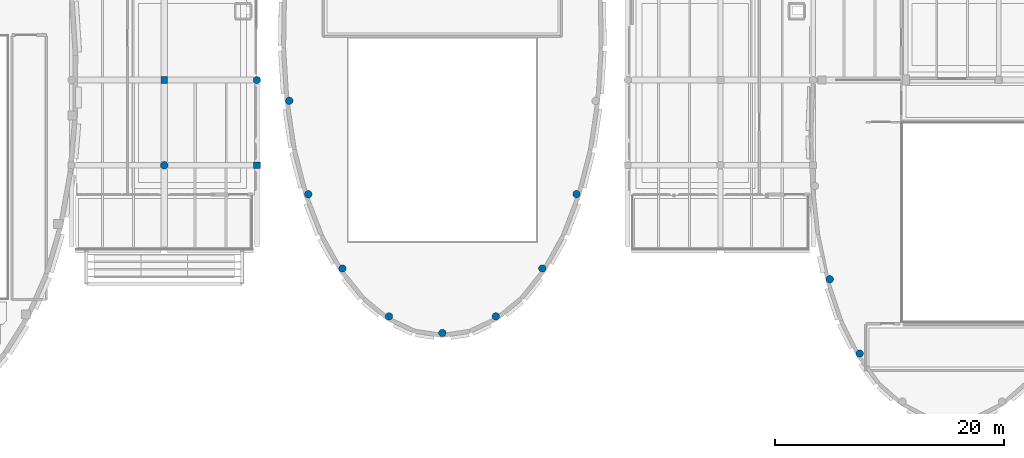
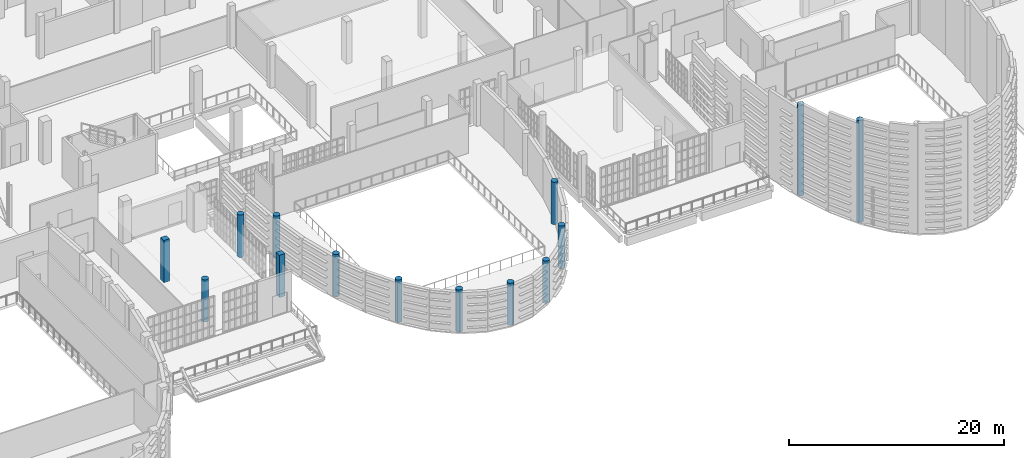
# One storey, part 4 of 104: 14 columns.
"""IFC4 building model written with IfcOpenShell, lengths in metres."""

import ifcopenshell
import ifcopenshell.guid

model = None  # the IFC model being written
_history = None  # IfcOwnerHistory: only IFC2X3 demands one
_inside = {}  # id of a spatial element -> (the spatial element, [elements in it])
_under = {}  # id of a project, library or spatial element -> (it, [spatial elements below it])
_declared = {}  # id of a project -> (the project, [libraries it declares])
_typed = {}  # id of a type object -> (the type object, [elements of that type])
_made_of = {}  # id of a material, layer set ... -> (it, [elements and type objects made of it])


def new_model(schema):
    """Start an empty IFC model of exactly this schema.

    Asked for "IFC4X3", IfcOpenShell would pick the latest addendum, in which some entities
    have other attributes; the version numbers below select the first issue.
    IFC2X3 requires an IfcOwnerHistory on every rooted entity: one is made here for all.
    """
    global model, _history
    if schema == "IFC4X3":
        model = ifcopenshell.file(schema_version=(4, 3, 0, 0))
    else:
        model = ifcopenshell.file(schema=schema)
    _inside.clear()
    _under.clear()
    _declared.clear()
    _typed.clear()
    _made_of.clear()
    _history = None
    if model.schema == "IFC2X3":
        org = make("IfcOrganization", Name="unknown")
        user = make(
            "IfcPersonAndOrganization",
            ThePerson=make("IfcPerson", FamilyName="unknown"),
            TheOrganization=org,
        )
        app = make(
            "IfcApplication",
            ApplicationDeveloper=org,
            Version="unknown",
            ApplicationFullName="unknown",
            ApplicationIdentifier="unknown",
        )
        _history = make(
            "IfcOwnerHistory",
            OwningUser=user,
            OwningApplication=app,
            ChangeAction="ADDED",
            CreationDate=0,
        )
    return model


def make(cls, **values):
    """One entity of the class cls with the attributes given. An attribute that is None is left unset."""
    return model.create_entity(
        cls, **{name: value for name, value in values.items() if value is not None}
    )


def rooted(cls, **values):
    """An entity with a GlobalId (a new one), such as an element, a storey or a relation."""
    return make(cls, GlobalId=ifcopenshell.guid.new(), OwnerHistory=_history, **values)


def si_unit(unit_type, name, prefix=None):
    """IfcSIUnit, for example si_unit("LENGTHUNIT", "METRE", prefix="MILLI")."""
    return make("IfcSIUnit", UnitType=unit_type, Prefix=prefix, Name=name)


def assignment(units):
    """IfcUnitAssignment: the units of a project."""
    return None if units is None else make("IfcUnitAssignment", Units=units)


def point(xyz):
    """IfcCartesianPoint."""
    return None if xyz is None else make("IfcCartesianPoint", Coordinates=xyz)


def direction(xyz):
    """IfcDirection."""
    return None if xyz is None else make("IfcDirection", DirectionRatios=xyz)


def frame(location, z_axis=None, x_axis=None):
    """IfcAxis2Placement3D, a coordinate frame: its origin and axes. An axis left out is left unset."""
    return make(
        "IfcAxis2Placement3D",
        Location=point(location),
        Axis=direction(z_axis),
        RefDirection=direction(x_axis),
    )


def frame_2d(location, x_axis=None):
    """IfcAxis2Placement2D, a coordinate frame in the plane: its origin and x axis."""
    return make(
        "IfcAxis2Placement2D", Location=point(location), RefDirection=direction(x_axis)
    )


def origin():
    """The frame at (0, 0, 0) with its axes left unset."""
    return frame((0.0, 0.0, 0.0))


def origin_2d():
    """The frame at (0, 0) in the plane with its x axis left unset."""
    return frame_2d((0.0, 0.0))


def place(relative_to, where):
    """IfcLocalPlacement: puts the frame where relative to a parent placement (None: the world)."""
    return make(
        "IfcLocalPlacement", PlacementRelTo=relative_to, RelativePlacement=where
    )


def context(
    kind, dimensions, precision=None, world=None, true_north=None, identifier=None
):
    """IfcGeometricRepresentationContext, for example the 3D "Model" context."""
    return make(
        "IfcGeometricRepresentationContext",
        ContextIdentifier=identifier,
        ContextType=kind,
        CoordinateSpaceDimension=dimensions,
        Precision=precision,
        WorldCoordinateSystem=world,
        TrueNorth=true_north,
    )


def subcontext(parent, identifier, kind, view, scale=None):
    """IfcGeometricRepresentationSubContext, for example "Body" below "Model"."""
    return make(
        "IfcGeometricRepresentationSubContext",
        ContextIdentifier=identifier,
        ContextType=kind,
        ParentContext=parent,
        TargetScale=scale,
        TargetView=view,
    )


def project(units=None, contexts=None):
    """IfcProject with its units and contexts."""
    return rooted(
        "IfcProject",
        Name="project",
        RepresentationContexts=contexts,
        UnitsInContext=assignment(units),
    )


def spatial(cls, under=None, at=None, **own):
    """A site, building, storey or space (cls), placed at a placement, below another one or the project."""
    s = rooted(cls, ObjectPlacement=at, **own)
    if under is not None:
        _under.setdefault(under.id(), (under, []))[1].append(s)
    return s


def profile(cls, at=None, kind="AREA", **sizes):
    """A parametric profile (cls). Its sizes go by their IFC names, for example OverallWidth=200.0."""
    return make(cls, ProfileType=kind, Position=at, **sizes)


def rectangle(**sizes):
    """IfcRectangleProfileDef."""
    return profile("IfcRectangleProfileDef", **sizes)


def circle(**sizes):
    """IfcCircleProfileDef."""
    return profile("IfcCircleProfileDef", **sizes)


def extrude(swept, where, along, depth):
    """IfcExtrudedAreaSolid: the profile swept, set in the frame where, extruded along a direction by depth."""
    return make(
        "IfcExtrudedAreaSolid",
        SweptArea=swept,
        Position=where,
        ExtrudedDirection=direction(along),
        Depth=depth,
    )


def shape(context_of_items, identifier, shape_type, items):
    """IfcShapeRepresentation: the items that make up one representation, for example the "Body"."""
    return make(
        "IfcShapeRepresentation",
        ContextOfItems=context_of_items,
        RepresentationIdentifier=identifier,
        RepresentationType=shape_type,
        Items=items,
    )


def material(Name=None, Category=None):
    """IfcMaterial."""
    return make("IfcMaterial", Name=Name, Category=Category)


def material_profile(
    of_material, cross_section, Name=None, Category=None, Priority=None
):
    """IfcMaterialProfile: a cross section and its material."""
    return make(
        "IfcMaterialProfile",
        Name=Name,
        Material=of_material,
        Profile=cross_section,
        Priority=Priority,
        Category=Category,
    )


def profile_set(profiles, Name=None, composite=None):
    """IfcMaterialProfileSet."""
    return make(
        "IfcMaterialProfileSet",
        Name=Name,
        MaterialProfiles=profiles,
        CompositeProfile=composite,
    )


def made_of(thing, what):
    """Note that an element or type object is made of a material, layer set ...; save() writes the relation."""
    if what is not None:
        _made_of.setdefault(what.id(), (what, []))[1].append(thing)
    return thing


def type_object(cls, material=None, **own):
    """A type object (cls), such as IfcWallType, which elements share."""
    return made_of(rooted(cls, **own), material)


def element(
    cls,
    number,
    at=None,
    inside=None,
    cuts=None,
    type_object=None,
    material=None,
    context=None,
    identifier="Body",
    shape_type=None,
    held_by="IfcProductDefinitionShape",
    body=None,
    shapes=None,
    **own,
):
    """One element of the class cls, such as IfcWall. Its Tag is "e" and its number.

    at: its placement. inside: the storey or other place that contains it. cuts: it is an
    opening in that element (IfcRelVoidsElement). A single representation is given by context,
    identifier, shape_type and body (its items); several are given by shapes. held_by: the class
    of the entity that holds the representations. save() writes the other relations.
    """
    e = rooted(cls, Tag="e%d" % number, ObjectPlacement=at, **own)
    if body is not None:
        shapes = [shape(context, identifier, shape_type, body)]
    if shapes is not None:
        e.Representation = make(held_by, Representations=shapes)
    if inside is not None:
        _inside.setdefault(inside.id(), (inside, []))[1].append(e)
    if cuts is not None:
        rooted(
            "IfcRelVoidsElement", RelatingBuildingElement=cuts, RelatedOpeningElement=e
        )
    if type_object is not None:
        _typed.setdefault(type_object.id(), (type_object, []))[1].append(e)
    return made_of(e, material)


def aggregate(whole, parts):
    """IfcRelAggregates: a whole, such as a stair, and the parts it consists of."""
    return rooted("IfcRelAggregates", RelatingObject=whole, RelatedObjects=parts)


def save(model, path):
    """Write the relations noted so far, then the file.

    IfcRelAggregates (storeys below a building ...), IfcRelContainedInSpatialStructure (elements
    in a storey), IfcRelDefinesByType, IfcRelAssociatesMaterial and IfcRelDeclares: one each for
    every whole, place, type object, material and project.
    """
    for whole, parts in _under.values():
        aggregate(whole, parts)
    for where, things in _inside.values():
        rooted(
            "IfcRelContainedInSpatialStructure",
            RelatedElements=things,
            RelatingStructure=where,
        )
    for kind, things in _typed.values():
        rooted("IfcRelDefinesByType", RelatedObjects=things, RelatingType=kind)
    for what, things in _made_of.values():
        rooted("IfcRelAssociatesMaterial", RelatedObjects=things, RelatingMaterial=what)
    for by, libraries in _declared.values():
        rooted("IfcRelDeclares", RelatingContext=by, RelatedDefinitions=libraries)
    model.write(path)


model = new_model("IFC4")

# Units and contexts
model_context = context("Model", 3, precision=1e-05, world=origin(), true_north=direction((0.0, 1.0)))
body_context = subcontext(model_context, "Body", "Model", "MODEL_VIEW")
ifc_project = project(units=[si_unit("LENGTHUNIT", "METRE"), si_unit("AREAUNIT", "SQUARE_METRE"), si_unit("VOLUMEUNIT", "CUBIC_METRE"), si_unit("PLANEANGLEUNIT", "RADIAN"), si_unit("MASSUNIT", "GRAM", prefix="KILO")], contexts=[model_context])

# Site, building, storey
site_placement = place(None, origin())
site = spatial("IfcSite", under=ifc_project, at=site_placement, CompositionType="ELEMENT")
building_placement = place(site_placement, origin())
building = spatial("IfcBuilding", under=site, at=building_placement, Name="Kaelora Sail Theatre", CompositionType="ELEMENT")
storey_placement = place(building_placement, frame((0.0, 0.0, 5.39990234375)))
storey = spatial("IfcBuildingStorey", under=building, at=storey_placement, Name="L01", CompositionType="ELEMENT", Elevation=5.39990234375)

# Columns
ifc_material_1 = material(Name="Concrete C40/50", Category="concrete")
ifc_material_profile_1 = material_profile(ifc_material_1, rectangle(XDim=0.60009765625, YDim=0.60009765625, at=origin_2d()), Name="RC-COL 600x600")
ifc_profile_set_1 = profile_set([ifc_material_profile_1], Name="Concrete C40/50")
column_type_1 = type_object("IfcColumnType", Name="STR-COL-C-RC600", PredefinedType="COLUMN", material=ifc_profile_set_1)
for number, where, z_axis, x_axis, name in (
    (1, (66.300048828125, 53.580078125, 0.0), (0.0, 0.0, 1.0), (1.0, 0.0, 0.0), "Column 9/H (L01)"),
    (2, (74.39990234375, 46.139892578125, 0.0), (0.0, 0.0, 1.0), (1.0, 0.0, 0.0), "Column 10/G (L01)"),
):
    element("IfcColumn", number, at=place(storey_placement, frame(where, z_axis=z_axis, x_axis=x_axis)), inside=storey, type_object=column_type_1, Name=name, PredefinedType="COLUMN", context=body_context, shape_type="SweptSolid", body=[
        extrude(rectangle(XDim=0.60009765625, YDim=0.60009765625, at=origin_2d()), origin(), (0.0, 0.0, 1.0), 4.800048828125),
    ])
ifc_material_2 = material(Name="Concrete C45/55", Category="concrete")
ifc_material_profile_2 = material_profile(ifc_material_2, circle(Radius=0.324951171875, at=origin_2d()), Name="RC-CCOL D650")
ifc_profile_set_2 = profile_set([ifc_material_profile_2], Name="Concrete C45/55")
column_type_2 = type_object("IfcColumnType", Name="STR-COL-C-RCD650", PredefinedType="COLUMN", material=ifc_profile_set_2)
for number, where, z_axis, x_axis, name in (
    (3, (66.300048828125, 46.139892578125, 0.0), (0.0, 0.0, 1.0), (1.0, 0.0, 0.0), "Column 9/G (L01)"),
    (4, (74.39990234375, 53.580078125, 0.0), (0.0, 0.0, 1.0), (1.0, 0.0, 0.0), "Column 10/H (L01)"),
    (5, (102.3193359375, 43.604736328125, 0.0), (0.0, 0.0, 1.0), (1.0, 0.0, 0.0), "Studio Theatre drum column K04 (L01)"),
    (6, (99.334716796875, 37.115234375, 0.0), (0.0, 0.0, 1.0), (1.0, 0.0, 0.0), "Studio Theatre drum column K06 (L01)"),
    (7, (95.26953125, 32.9267578125, 0.0), (0.0, 0.0, 1.0), (1.0, 0.0, 0.0), "Studio Theatre drum column K08 (L01)"),
    (8, (90.60009765625, 31.47998046875, 0.0), (0.0, 0.0, 1.0), (1.0, 0.0, 0.0), "Studio Theatre drum column K10 (L01)"),
    (9, (85.930419921875, 32.9267578125, 0.0), (0.0, 0.0, 1.0), (1.0, 0.0, 0.0), "Studio Theatre drum column K12 (L01)"),
    (10, (81.865478515625, 37.115234375, 0.0), (0.0, 0.0, 1.0), (1.0, 0.0, 0.0), "Studio Theatre drum column K14 (L01)"),
    (11, (78.880615234375, 43.604736328125, 0.0), (0.0, 0.0, 1.0), (1.0, 0.0, 0.0), "Studio Theatre drum column K16 (L01)"),
    (12, (77.217041015625, 51.76416015625, 0.0), (0.0, 0.0, 1.0), (1.0, 0.0, 0.0), "Studio Theatre drum column K18 (L01)"),
):
    element("IfcColumn", number, at=place(storey_placement, frame(where, z_axis=z_axis, x_axis=x_axis)), inside=storey, type_object=column_type_2, Name=name, PredefinedType="COLUMN", context=body_context, shape_type="SweptSolid", body=[
        extrude(circle(Radius=0.324951171875, at=origin_2d()), origin(), (0.0, 0.0, 1.0), 4.800048828125),
    ])
column_1_placement = place(storey_placement, frame((127.06640625, 29.6826171875, 0.0), z_axis=(0.0, 0.0, 1.0), x_axis=(1.0, 0.0, 0.0)))
element("IfcColumn", 13, at=column_1_placement, inside=storey, type_object=column_type_2, Name="Black-Box Theatre drum column K14 (L01)", PredefinedType="COLUMN", context=body_context, shape_type="SweptSolid", body=[
    extrude(circle(Radius=0.324951171875, at=origin_2d()), origin(), (0.0, 0.0, 1.0), 11.56494140625),
])
column_2_placement = place(storey_placement, frame((124.451171875, 36.177978515625, 0.0), z_axis=(0.0, 0.0, 1.0), x_axis=(1.0, 0.0, 0.0)))
element("IfcColumn", 14, at=column_2_placement, inside=storey, type_object=column_type_2, Name="Black-Box Theatre drum column K16 (L01)", PredefinedType="COLUMN", context=body_context, shape_type="SweptSolid", body=[
    extrude(circle(Radius=0.324951171875, at=origin_2d()), origin(), (0.0, 0.0, 1.0), 10.2880859375),
])

save(model, "model.ifc")
